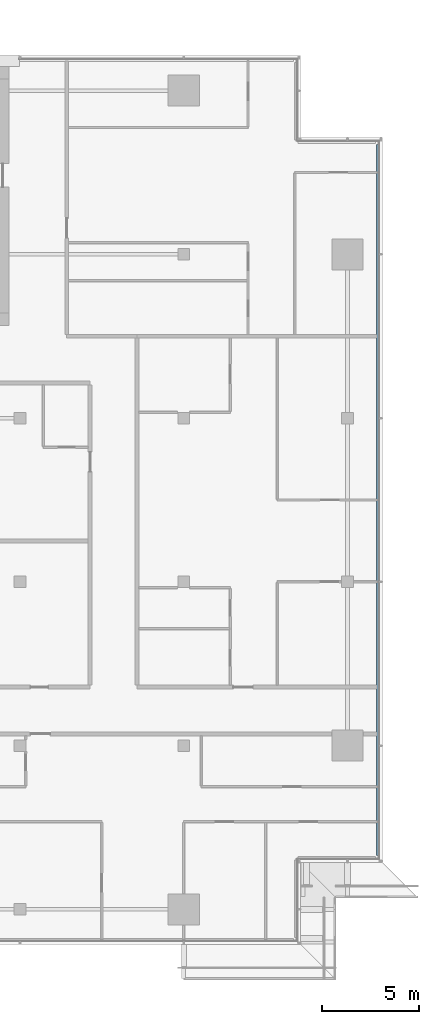
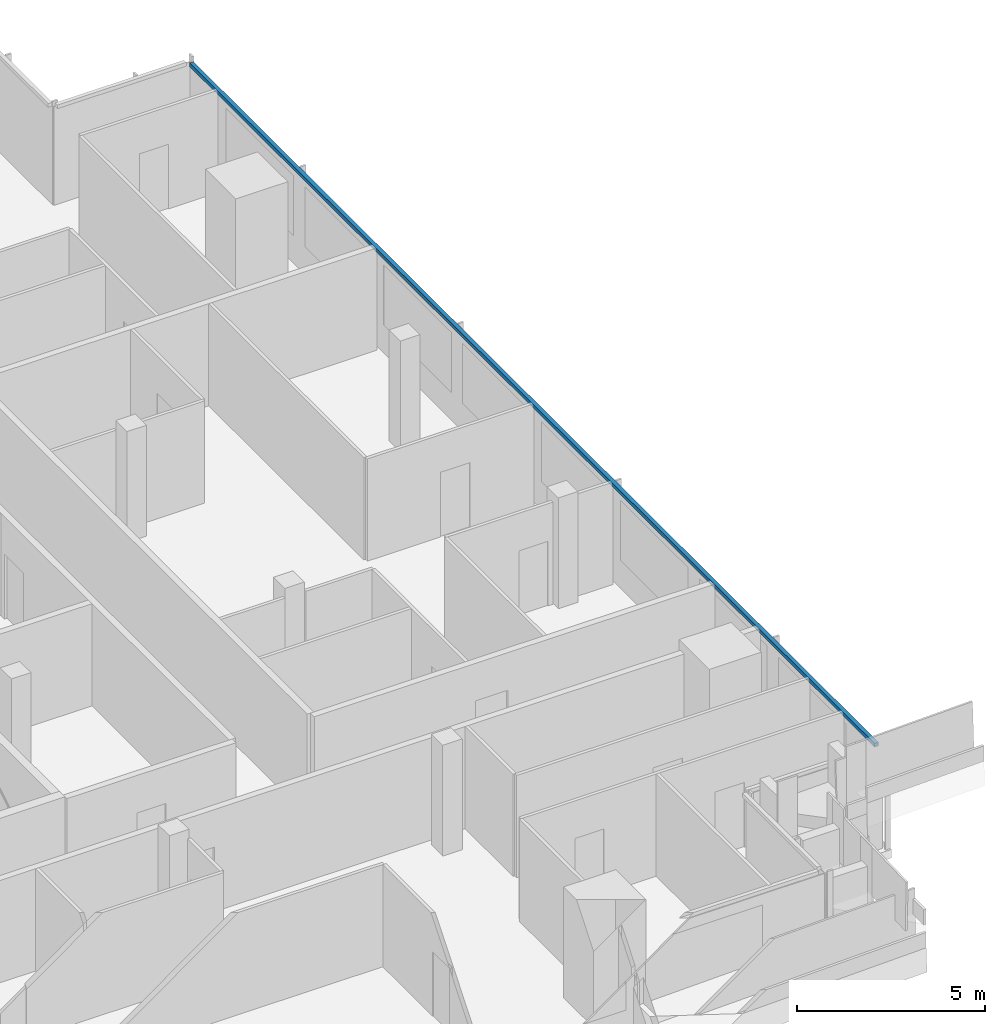
# One storey, part 14 of 30: 1 member, 1 element without a shape of its own.
"""IFC4 building model written with IfcOpenShell, lengths in metres."""

from ifc_helpers import new_model, si_unit, direction, frame, origin, origin_2d, place, context, subcontext, project, spatial, rectangle, extrude, material, material_profile, profile_set, type_object, element, aggregate, save


model = new_model("IFC4")

# Units and contexts
model_context = context("Model", 3, precision=1e-05, world=origin(), true_north=direction((0.0, 1.0)))
body_context = subcontext(model_context, "Body", "Model", "MODEL_VIEW")
ifc_project = project(units=[si_unit("LENGTHUNIT", "METRE"), si_unit("AREAUNIT", "SQUARE_METRE"), si_unit("VOLUMEUNIT", "CUBIC_METRE"), si_unit("PLANEANGLEUNIT", "RADIAN"), si_unit("MASSUNIT", "GRAM", prefix="KILO")], contexts=[model_context])

# Site, building, storey
site_placement = place(None, origin())
site = spatial("IfcSite", under=ifc_project, at=site_placement, CompositionType="ELEMENT")
building_placement = place(site_placement, origin())
building = spatial("IfcBuilding", under=site, at=building_placement, Name="Saffron Gate Tower", CompositionType="ELEMENT")
storey_placement = place(building_placement, frame((0.0, 0.0, 237.89990234375)))
storey = spatial("IfcBuildingStorey", under=building, at=storey_placement, Name="L58", CompositionType="ELEMENT", Elevation=237.89990234375)

# Curtain wall, member
ifc_material = material(Name="Aluminium, bronze anodised", Category="aluminium")
curtain_wall_type = type_object("IfcCurtainWallType", Name="CWS2 curtain wall side facades", PredefinedType="NOTDEFINED", material=ifc_material)
curtain_wall_placement = place(storey_placement, origin())
curtain_wall = element("IfcCurtainWall", 1, at=curtain_wall_placement, inside=storey, type_object=curtain_wall_type, Name="CWS2 run 4", PredefinedType="NOTDEFINED")
ifc_material_profile = material_profile(ifc_material, rectangle(XDim=0.1201171875, YDim=0.1201171875, at=origin_2d()))
ifc_profile_set = profile_set([ifc_material_profile], Name="Aluminium, bronze anodised")
member_type = type_object("IfcMemberType", Name="CWS2 head transom", PredefinedType="USERDEFINED", material=ifc_profile_set)
member_placement = place(storey_placement, frame((126.951904296875, 34.568115234375, 3.260009765625), z_axis=(0.0, 1.0, 0.0), x_axis=(-1.0, 0.0, 0.0)))
member = element("IfcMember", 2, at=member_placement, type_object=member_type, Name="CWS2 head transom", ObjectType="TRANSOM", PredefinedType="USERDEFINED", context=body_context, shape_type="SweptSolid", body=[
    extrude(rectangle(XDim=0.1201171875, YDim=0.1201171875, at=origin_2d()), origin(), (0.0, 0.0, 1.0), 36.4638671875),
])
aggregate(curtain_wall, [member])

save(model, "model.ifc")
